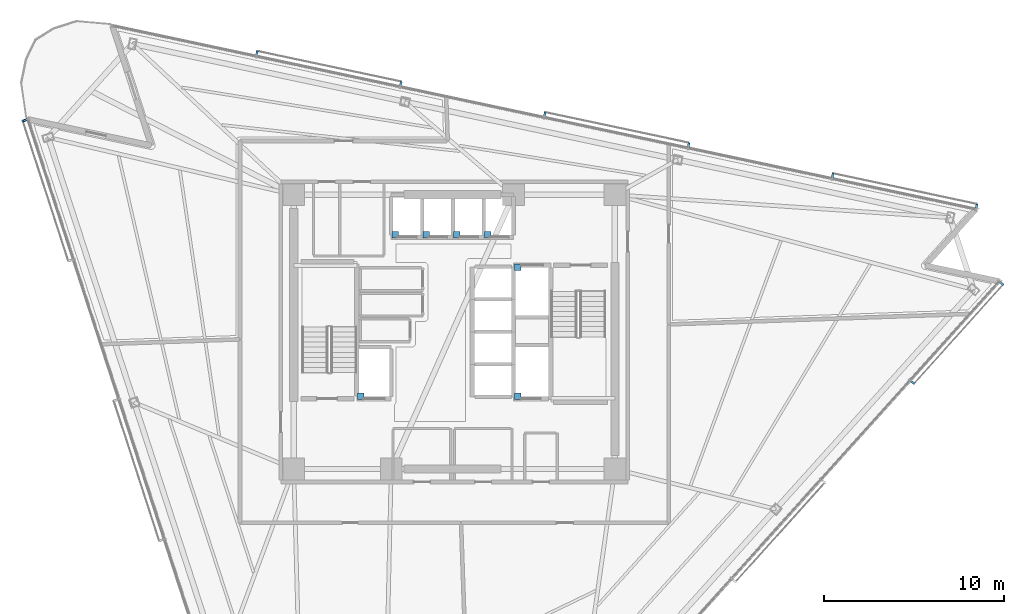
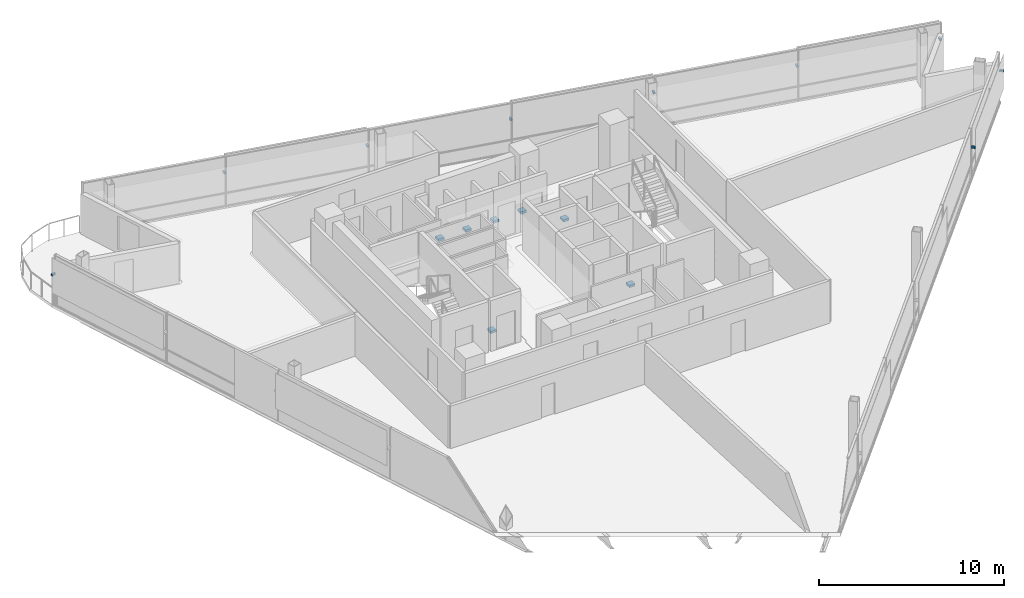
# One storey, part 14 of 17: 16 discrete accessories.
"""IFC4 building model written with IfcOpenShell, lengths in metres."""

from ifc_helpers import new_model, si_unit, direction, frame, origin, origin_2d, place, context, subcontext, project, spatial, rectangle, extrude, material, type_object, element, save


model = new_model("IFC4")

# Units and contexts
model_context = context("Model", 3, precision=1e-05, world=origin(), true_north=direction((0.0, 1.0)))
body_context = subcontext(model_context, "Body", "Model", "MODEL_VIEW")
ifc_project = project(units=[si_unit("LENGTHUNIT", "METRE"), si_unit("AREAUNIT", "SQUARE_METRE"), si_unit("VOLUMEUNIT", "CUBIC_METRE"), si_unit("PLANEANGLEUNIT", "RADIAN"), si_unit("MASSUNIT", "GRAM", prefix="KILO")], contexts=[model_context])

# Site, building, storey
site_placement = place(None, origin())
site = spatial("IfcSite", under=ifc_project, at=site_placement, CompositionType="ELEMENT")
building_placement = place(site_placement, origin())
building = spatial("IfcBuilding", under=site, at=building_placement, Name="Tharavind Bronze Gate", CompositionType="ELEMENT")
storey_placement = place(building_placement, frame((0.0, 0.0, 218.449951171875)))
storey = spatial("IfcBuildingStorey", under=building, at=storey_placement, Name="L56", CompositionType="ELEMENT", Elevation=218.449951171875)

# Discrete accessories
ifc_material_1 = material(Name="Galvanised Steel S355", Category="steel")
discrete_accessory_type_1 = type_object("IfcDiscreteAccessoryType", Name="LIFT GUIDE RAIL BRACKET", PredefinedType="BRACKET", material=ifc_material_1)
for number, where, z_axis, x_axis, name in (
    (1, (-3.280029296875, 5.3701171875, 1.1201171875), (0.0, 0.0, 1.0), (1.0, 0.0, 0.0), "Lift PL5 guide rail bracket at L56"),
    (2, (-1.5673828125, 5.3701171875, 1.1201171875), (0.0, 0.0, 1.0), (1.0, 0.0, 0.0), "Lift PL6 guide rail bracket at L56"),
    (3, (0.14501953125, 5.3701171875, 1.1201171875), (0.0, 0.0, 1.0), (1.0, 0.0, 0.0), "Lift PL7 guide rail bracket at L56"),
    (4, (1.857421875, 5.3701171875, 1.1201171875), (0.0, 0.0, 1.0), (1.0, 0.0, 0.0), "Lift PL8 guide rail bracket at L56"),
    (5, (-5.179931640625, -3.580078125, 1.1201171875), (0.0, 0.0, 1.0), (1.0, 0.0, 0.0), "Lift FFL1 guide rail bracket at L56"),
    (6, (3.5, 3.580078125, 1.1201171875), (0.0, 0.0, 1.0), (1.0, 0.0, 0.0), "Lift FFL2 guide rail bracket at L56"),
    (7, (3.5, -3.580078125, 1.1201171875), (0.0, 0.0, 1.0), (1.0, 0.0, 0.0), "Lift SVL1 guide rail bracket at L56"),
):
    element("IfcDiscreteAccessory", number, at=place(storey_placement, frame(where, z_axis=z_axis, x_axis=x_axis)), inside=storey, type_object=discrete_accessory_type_1, Name=name, PredefinedType="BRACKET", context=body_context, shape_type="SweptSolid", body=[
        extrude(rectangle(XDim=0.360107421875, YDim=0.360107421875, at=origin_2d()), origin(), (0.0, 0.0, 1.0), 0.159912109375),
    ])
ifc_material_2 = material(Name="Stainless Steel 316", Category="steel")
discrete_accessory_type_2 = type_object("IfcDiscreteAccessoryType", Name="SOLAR SCREEN STANDOFF BRACKET", PredefinedType="BRACKET", material=ifc_material_2)
for number, where, z_axis, x_axis, name in (
    (8, (-23.801513671875, 11.724853515625, 2.070068359375), (0.0, 0.0, 1.0), (0.309016994375, -0.951056516295, 0.0), "CW-L56-S1 solar screen bracket 1.1"),
    (9, (25.388671875, -2.80126953125, 2.070068359375), (0.0, 0.0, 1.0), (0.669130606359, 0.743144825477, 0.0), "CW-L56-S2 solar screen bracket 7.1"),
    (10, (30.333251953125, 2.690185546875, 2.070068359375), (0.0, 0.0, 1.0), (0.669130606359, 0.743144825477, 0.0), "CW-L56-S2 solar screen bracket 7.2"),
    (11, (28.942626953125, 6.9697265625, 2.070068359375), (0.0, 0.0, 1.0), (-0.978147600734, 0.207911690818, 0.0), "CW-L56-S3 solar screen bracket 1.1"),
    (12, (20.965087890625, 8.665283203125, 2.070068359375), (0.0, 0.0, 1.0), (-0.978147600734, 0.207911690818, 0.0), "CW-L56-S3 solar screen bracket 1.2"),
    (13, (12.98779296875, 10.361083984375, 2.070068359375), (0.0, 0.0, 1.0), (-0.978147600734, 0.207911690818, 0.0), "CW-L56-S3 solar screen bracket 3.1"),
    (14, (5.01025390625, 12.056640625, 2.070068359375), (0.0, 0.0, 1.0), (-0.978147600734, 0.207911690818, 0.0), "CW-L56-S3 solar screen bracket 3.2"),
    (15, (-2.96728515625, 13.752197265625, 2.070068359375), (0.0, 0.0, 1.0), (-0.978147600734, 0.207911690818, 0.0), "CW-L56-S3 solar screen bracket 5.1"),
    (16, (-10.94482421875, 15.447998046875, 2.070068359375), (0.0, 0.0, 1.0), (-0.978147600734, 0.207911690818, 0.0), "CW-L56-S3 solar screen bracket 5.2"),
):
    element("IfcDiscreteAccessory", number, at=place(storey_placement, frame(where, z_axis=z_axis, x_axis=x_axis)), inside=storey, type_object=discrete_accessory_type_2, Name=name, PredefinedType="BRACKET", context=body_context, shape_type="SweptSolid", body=[
        extrude(rectangle(XDim=0.1201171875, YDim=0.239990234375, at=origin_2d()), origin(), (0.0, 0.0, 1.0), 0.1201171875),
    ])

save(model, "model.ifc")
